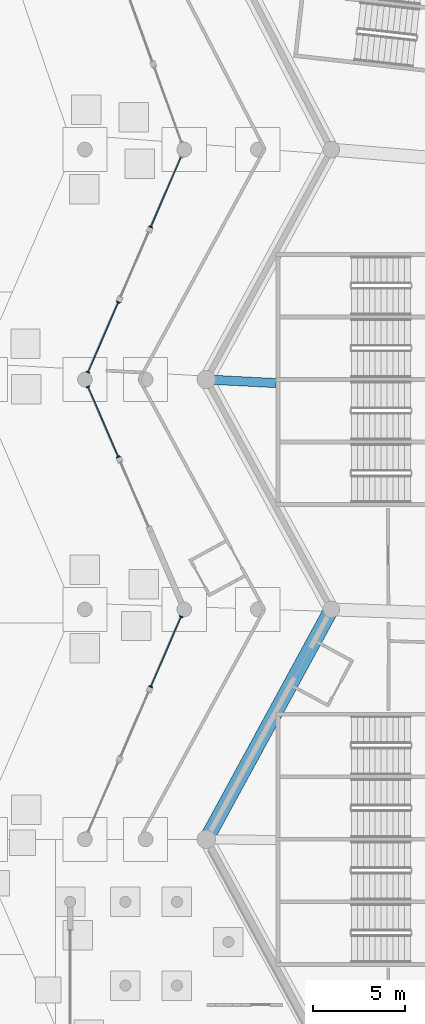
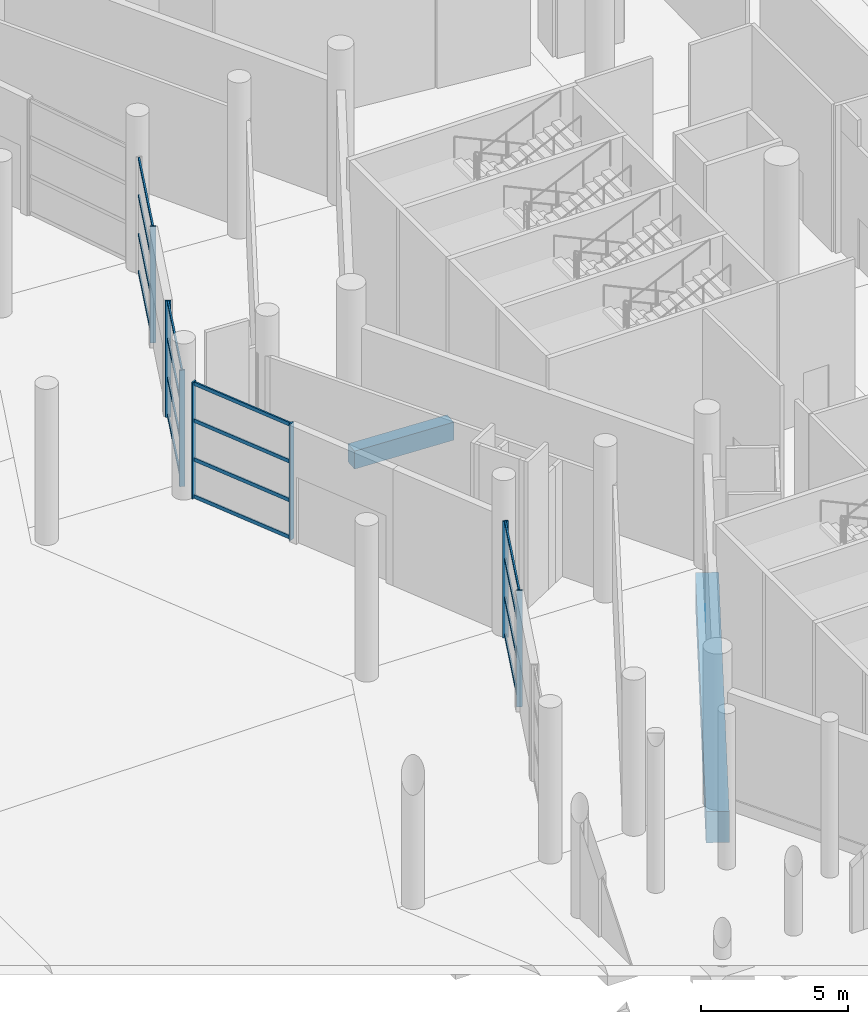
# One storey, part 42 of 255: 23 members, 2 beams, 4 elements without a shape of their own.
"""IFC4 building model written with IfcOpenShell, lengths in metres."""

from ifc_helpers import new_model, si_unit, direction, frame, origin, origin_2d, place, context, subcontext, project, spatial, rectangle, extrude, material, layer, layer_set, material_profile, profile_set, type_object, element, aggregate, save


model = new_model("IFC4")

# Units and contexts
model_context = context("Model", 3, precision=1e-05, world=origin(), true_north=direction((0.0, 1.0)))
body_context = subcontext(model_context, "Body", "Model", "MODEL_VIEW")
ifc_project = project(units=[si_unit("LENGTHUNIT", "METRE"), si_unit("AREAUNIT", "SQUARE_METRE"), si_unit("VOLUMEUNIT", "CUBIC_METRE"), si_unit("PLANEANGLEUNIT", "RADIAN"), si_unit("MASSUNIT", "GRAM", prefix="KILO")], contexts=[model_context])

# Site, building, storey
site_placement = place(None, origin())
site = spatial("IfcSite", under=ifc_project, at=site_placement, CompositionType="ELEMENT")
building_placement = place(site_placement, origin())
building = spatial("IfcBuilding", under=site, at=building_placement, Name="Meseta Stadium", CompositionType="ELEMENT")
storey_placement = place(building_placement, origin())
storey = spatial("IfcBuildingStorey", under=building, at=storey_placement, Name="L00", CompositionType="ELEMENT", Elevation=0.0)

# Beams
ifc_material_1 = material(Name="Concrete C40/50", Category="concrete")
ifc_material_profile_1 = material_profile(ifc_material_1, rectangle(XDim=0.5, YDim=0.75, at=origin_2d()), Name="RC 500x750")
ifc_profile_set_1 = profile_set([ifc_material_profile_1], Name="Concrete C40/50")
beam_type_1 = type_object("IfcBeamType", Name="RC beam 500x750", PredefinedType="BEAM", material=ifc_profile_set_1)
beam_1_placement = place(storey_placement, frame((-97.60009765625, 31.0546875, -0.77490234375), z_axis=(-0.998681597522, 0.05133290144, 0.0), x_axis=(-0.05133290144, -0.998681597522, 0.0)))
element("IfcBeam", 1, at=beam_1_placement, inside=storey, type_object=beam_type_1, Name="L00 radial beam frame 30 line P to R", PredefinedType="BEAM", context=body_context, shape_type="SweptSolid", body=[
    extrude(rectangle(XDim=0.5, YDim=0.75, at=origin_2d()), origin(), (0.0, 0.0, 1.0), 3.804931640625),
])
ifc_material_2 = material(Name="Concrete C40/50", Category="concrete")
ifc_material_profile_2 = material_profile(ifc_material_2, rectangle(XDim=0.800048828125, YDim=1.300048828125, at=origin_2d()), Name="RC 800x1300")
ifc_profile_set_2 = profile_set([ifc_material_profile_2], Name="Concrete C40/50")
beam_type_2 = type_object("IfcBeamType", Name="RC beam 800x1300", PredefinedType="BEAM", material=ifc_profile_set_2)
beam_2_placement = place(storey_placement, frame((-94.60009765625, 18.75, -1.050048828125), z_axis=(-0.47785649891, -0.878437912689, 0.0), x_axis=(0.878437912689, -0.47785649891, 0.0)))
element("IfcBeam", 2, at=beam_2_placement, inside=storey, type_object=beam_type_2, Name="L00 ring beam frame 31 line R", PredefinedType="BEAM", context=body_context, shape_type="SweptSolid", body=[
    extrude(rectangle(XDim=0.800048828125, YDim=1.300048828125, at=origin_2d()), origin(), (0.0, 0.0, 1.0), 14.229736328125),
])

# Curtain wall, member
ifc_material_3 = material(Name="Aluminium", Category="aluminium")
ifc_layer = layer(ifc_material_3, 0.199951171875)
ifc_layer_set = layer_set([ifc_layer], Name="Ring shopfront curtain wall")
curtain_wall_type = type_object("IfcCurtainWallType", Name="Ring shopfront curtain wall", PredefinedType="NOTDEFINED", material=ifc_layer_set)
curtain_wall_1_placement = place(storey_placement, origin())
curtain_wall_1 = element("IfcCurtainWall", 3, at=curtain_wall_1_placement, inside=storey, type_object=curtain_wall_type, Name="Shopfront glazing F29a", PredefinedType="NOTDEFINED")
ifc_material_4 = material(Name="Aluminium", Category="aluminium")
ifc_material_profile_3 = material_profile(ifc_material_4, rectangle(XDim=0.199951171875, YDim=0.06005859375, at=origin_2d()), Name="CW 200x60")
ifc_profile_set_3 = profile_set([ifc_material_profile_3], Name="Aluminium")
member_type_1 = type_object("IfcMemberType", Name="Ring CW mullion 60x200", PredefinedType="MULLION", material=ifc_profile_set_3)
member_1_placement = place(storey_placement, frame((-104.41552734375, 39.547119140625, 0.0), z_axis=(0.0, 0.0, 1.0), x_axis=(0.918001803218, -0.396576208678, 0.0)))
member_1 = element("IfcMember", 4, at=member_1_placement, type_object=member_type_1, Name="CWR1 mullion 2", PredefinedType="MULLION", context=body_context, shape_type="SweptSolid", body=[
    extrude(rectangle(XDim=0.199951171875, YDim=0.06005859375, at=origin_2d()), origin(), (0.0, 0.0, 1.0), 4.85009765625),
])

# Curtain wall, members
curtain_wall_2_placement = place(storey_placement, origin())
curtain_wall_2 = element("IfcCurtainWall", 5, at=curtain_wall_2_placement, inside=storey, type_object=curtain_wall_type, Name="Shopfront glazing F29b", PredefinedType="NOTDEFINED")
member_2_placement = place(storey_placement, frame((-106.184326171875, 35.452880859375, 0.0), z_axis=(0.0, 0.0, 1.0), x_axis=(0.918001803218, -0.396576208678, 0.0)))
member_2 = element("IfcMember", 6, at=member_2_placement, type_object=member_type_1, Name="CWR1 mullion 1", PredefinedType="MULLION", context=body_context, shape_type="SweptSolid", body=[
    extrude(rectangle(XDim=0.199951171875, YDim=0.06005859375, at=origin_2d()), origin(), (0.0, 0.0, 1.0), 4.85009765625),
])
member_3_placement = place(storey_placement, frame((-107.82958984375, 31.644775390625, 0.0), z_axis=(0.0, 0.0, 1.0), x_axis=(0.918001803218, -0.396576208678, 0.0)))
member_3 = element("IfcMember", 7, at=member_3_placement, type_object=member_type_1, Name="CWR1 mullion 2", PredefinedType="MULLION", context=body_context, shape_type="SweptSolid", body=[
    extrude(rectangle(XDim=0.199951171875, YDim=0.06005859375, at=origin_2d()), origin(), (0.0, 0.0, 1.0), 4.85009765625),
])

curtain_wall_3_placement = place(storey_placement, origin())
curtain_wall_3 = element("IfcCurtainWall", 8, at=curtain_wall_3_placement, inside=storey, type_object=curtain_wall_type, Name="Shopfront glazing F30a", PredefinedType="NOTDEFINED")
member_4_placement = place(storey_placement, frame((-107.82958984375, 30.855224609375, 0.0), z_axis=(0.0, 0.0, 1.0), x_axis=(0.918001803218, 0.396576208678, 0.0)))
member_4 = element("IfcMember", 9, at=member_4_placement, type_object=member_type_1, Name="CWR1 mullion 1", PredefinedType="MULLION", context=body_context, shape_type="SweptSolid", body=[
    extrude(rectangle(XDim=0.199951171875, YDim=0.06005859375, at=origin_2d()), origin(), (0.0, 0.0, 1.0), 4.85009765625),
])
member_5_placement = place(storey_placement, frame((-106.184326171875, 27.047119140625, 0.0), z_axis=(0.0, 0.0, 1.0), x_axis=(0.918001803218, 0.396576208678, 0.0)))
member_5 = element("IfcMember", 10, at=member_5_placement, type_object=member_type_1, Name="CWR1 mullion 2", PredefinedType="MULLION", context=body_context, shape_type="SweptSolid", body=[
    extrude(rectangle(XDim=0.199951171875, YDim=0.06005859375, at=origin_2d()), origin(), (0.0, 0.0, 1.0), 4.85009765625),
])

curtain_wall_4_placement = place(storey_placement, origin())
curtain_wall_4 = element("IfcCurtainWall", 11, at=curtain_wall_4_placement, inside=storey, type_object=curtain_wall_type, Name="Shopfront glazing F31a", PredefinedType="NOTDEFINED")
member_6_placement = place(storey_placement, frame((-102.7705078125, 18.355224609375, 0.0), z_axis=(0.0, 0.0, 1.0), x_axis=(0.918001803218, -0.396576208678, 0.0)))
member_6 = element("IfcMember", 12, at=member_6_placement, type_object=member_type_1, Name="CWR1 mullion 1", PredefinedType="MULLION", context=body_context, shape_type="SweptSolid", body=[
    extrude(rectangle(XDim=0.199951171875, YDim=0.06005859375, at=origin_2d()), origin(), (0.0, 0.0, 1.0), 4.85009765625),
])
member_7_placement = place(storey_placement, frame((-104.41552734375, 14.547119140625, 0.0), z_axis=(0.0, 0.0, 1.0), x_axis=(0.918001803218, -0.396576208678, 0.0)))
member_7 = element("IfcMember", 13, at=member_7_placement, type_object=member_type_1, Name="CWR1 mullion 2", PredefinedType="MULLION", context=body_context, shape_type="SweptSolid", body=[
    extrude(rectangle(XDim=0.199951171875, YDim=0.06005859375, at=origin_2d()), origin(), (0.0, 0.0, 1.0), 4.85009765625),
])

# Member
ifc_material_5 = material(Name="Aluminium", Category="aluminium")
ifc_material_profile_4 = material_profile(ifc_material_5, rectangle(XDim=0.06005859375, YDim=0.14990234375, at=origin_2d()), Name="CW 60x150")
ifc_profile_set_4 = profile_set([ifc_material_profile_4], Name="Aluminium")
member_type_2 = type_object("IfcMemberType", Name="Ring CW transom 60x150", PredefinedType="USERDEFINED", material=ifc_profile_set_4)
member_8_placement = place(storey_placement, frame((-102.782470703125, 43.32763671875, 0.074951171875), z_axis=(-0.396591585893, -0.917995160118, 0.0), x_axis=(0.917995160118, -0.396591585893, 0.0)))
member_8 = element("IfcMember", 14, at=member_8_placement, type_object=member_type_2, Name="CWR1 transom 1.1", ObjectType="TRANSOM", PredefinedType="USERDEFINED", context=body_context, shape_type="SweptSolid", body=[
    extrude(rectangle(XDim=0.06005859375, YDim=0.14990234375, at=origin_2d()), origin(), (0.0, 0.0, 1.0), 4.088134765625),
])

member_9_placement = place(storey_placement, frame((-102.782470703125, 43.32763671875, 1.61669921875), z_axis=(-0.396591585893, -0.917995160118, 0.0), x_axis=(0.917995160118, -0.396591585893, 0.0)))
member_9 = element("IfcMember", 15, at=member_9_placement, type_object=member_type_2, Name="CWR1 transom 1.2", ObjectType="TRANSOM", PredefinedType="USERDEFINED", context=body_context, shape_type="SweptSolid", body=[
    extrude(rectangle(XDim=0.06005859375, YDim=0.14990234375, at=origin_2d()), origin(), (0.0, 0.0, 1.0), 4.088134765625),
])

member_10_placement = place(storey_placement, frame((-102.782470703125, 43.32763671875, 3.2333984375), z_axis=(-0.396591585893, -0.917995160118, 0.0), x_axis=(0.917995160118, -0.396591585893, 0.0)))
member_10 = element("IfcMember", 16, at=member_10_placement, type_object=member_type_2, Name="CWR1 transom 1.3", ObjectType="TRANSOM", PredefinedType="USERDEFINED", context=body_context, shape_type="SweptSolid", body=[
    extrude(rectangle(XDim=0.06005859375, YDim=0.14990234375, at=origin_2d()), origin(), (0.0, 0.0, 1.0), 4.088134765625),
])

member_11_placement = place(storey_placement, frame((-102.782470703125, 43.32763671875, 4.77490234375), z_axis=(-0.396591585893, -0.917995160118, 0.0), x_axis=(0.917995160118, -0.396591585893, 0.0)))
member_11 = element("IfcMember", 17, at=member_11_placement, type_object=member_type_2, Name="CWR1 transom 1.4", ObjectType="TRANSOM", PredefinedType="USERDEFINED", context=body_context, shape_type="SweptSolid", body=[
    extrude(rectangle(XDim=0.06005859375, YDim=0.14990234375, at=origin_2d()), origin(), (0.0, 0.0, 1.0), 4.088134765625),
])

aggregate(curtain_wall_1, [member_1, member_8, member_9, member_10, member_11])

member_12_placement = place(storey_placement, frame((-106.1962890625, 35.42529296875, 0.074951171875), z_axis=(-0.396591585893, -0.917995160118, 0.0), x_axis=(0.917995160118, -0.396591585893, 0.0)))
member_12 = element("IfcMember", 18, at=member_12_placement, type_object=member_type_2, Name="CWR1 transom 1.1", ObjectType="TRANSOM", PredefinedType="USERDEFINED", context=body_context, shape_type="SweptSolid", body=[
    extrude(rectangle(XDim=0.06005859375, YDim=0.14990234375, at=origin_2d()), origin(), (0.0, 0.0, 1.0), 4.088134765625),
])

member_13_placement = place(storey_placement, frame((-106.1962890625, 35.42529296875, 1.61669921875), z_axis=(-0.396591585893, -0.917995160118, 0.0), x_axis=(0.917995160118, -0.396591585893, 0.0)))
member_13 = element("IfcMember", 19, at=member_13_placement, type_object=member_type_2, Name="CWR1 transom 1.2", ObjectType="TRANSOM", PredefinedType="USERDEFINED", context=body_context, shape_type="SweptSolid", body=[
    extrude(rectangle(XDim=0.06005859375, YDim=0.14990234375, at=origin_2d()), origin(), (0.0, 0.0, 1.0), 4.088134765625),
])

member_14_placement = place(storey_placement, frame((-106.1962890625, 35.42529296875, 3.2333984375), z_axis=(-0.396591585893, -0.917995160118, 0.0), x_axis=(0.917995160118, -0.396591585893, 0.0)))
member_14 = element("IfcMember", 20, at=member_14_placement, type_object=member_type_2, Name="CWR1 transom 1.3", ObjectType="TRANSOM", PredefinedType="USERDEFINED", context=body_context, shape_type="SweptSolid", body=[
    extrude(rectangle(XDim=0.06005859375, YDim=0.14990234375, at=origin_2d()), origin(), (0.0, 0.0, 1.0), 4.088134765625),
])

member_15_placement = place(storey_placement, frame((-106.1962890625, 35.42529296875, 4.77490234375), z_axis=(-0.396591585893, -0.917995160118, 0.0), x_axis=(0.917995160118, -0.396591585893, 0.0)))
member_15 = element("IfcMember", 21, at=member_15_placement, type_object=member_type_2, Name="CWR1 transom 1.4", ObjectType="TRANSOM", PredefinedType="USERDEFINED", context=body_context, shape_type="SweptSolid", body=[
    extrude(rectangle(XDim=0.06005859375, YDim=0.14990234375, at=origin_2d()), origin(), (0.0, 0.0, 1.0), 4.088134765625),
])

aggregate(curtain_wall_2, [member_2, member_3, member_12, member_13, member_14, member_15])

member_16_placement = place(storey_placement, frame((-107.817626953125, 30.82763671875, 0.074951171875), z_axis=(0.396591585893, -0.917995160118, 0.0), x_axis=(0.917995160118, 0.396591585893, 0.0)))
member_16 = element("IfcMember", 22, at=member_16_placement, type_object=member_type_2, Name="CWR1 transom 1.1", ObjectType="TRANSOM", PredefinedType="USERDEFINED", context=body_context, shape_type="SweptSolid", body=[
    extrude(rectangle(XDim=0.06005859375, YDim=0.14990234375, at=origin_2d()), origin(), (0.0, 0.0, 1.0), 4.088134765625),
])

member_17_placement = place(storey_placement, frame((-107.817626953125, 30.82763671875, 1.61669921875), z_axis=(0.396591585893, -0.917995160118, 0.0), x_axis=(0.917995160118, 0.396591585893, 0.0)))
member_17 = element("IfcMember", 23, at=member_17_placement, type_object=member_type_2, Name="CWR1 transom 1.2", ObjectType="TRANSOM", PredefinedType="USERDEFINED", context=body_context, shape_type="SweptSolid", body=[
    extrude(rectangle(XDim=0.06005859375, YDim=0.14990234375, at=origin_2d()), origin(), (0.0, 0.0, 1.0), 4.088134765625),
])

member_18_placement = place(storey_placement, frame((-107.817626953125, 30.82763671875, 3.2333984375), z_axis=(0.396591585893, -0.917995160118, 0.0), x_axis=(0.917995160118, 0.396591585893, 0.0)))
member_18 = element("IfcMember", 24, at=member_18_placement, type_object=member_type_2, Name="CWR1 transom 1.3", ObjectType="TRANSOM", PredefinedType="USERDEFINED", context=body_context, shape_type="SweptSolid", body=[
    extrude(rectangle(XDim=0.06005859375, YDim=0.14990234375, at=origin_2d()), origin(), (0.0, 0.0, 1.0), 4.088134765625),
])

member_19_placement = place(storey_placement, frame((-107.817626953125, 30.82763671875, 4.77490234375), z_axis=(0.396591585893, -0.917995160118, 0.0), x_axis=(0.917995160118, 0.396591585893, 0.0)))
member_19 = element("IfcMember", 25, at=member_19_placement, type_object=member_type_2, Name="CWR1 transom 1.4", ObjectType="TRANSOM", PredefinedType="USERDEFINED", context=body_context, shape_type="SweptSolid", body=[
    extrude(rectangle(XDim=0.06005859375, YDim=0.14990234375, at=origin_2d()), origin(), (0.0, 0.0, 1.0), 4.088134765625),
])

aggregate(curtain_wall_3, [member_4, member_5, member_16, member_17, member_18, member_19])

member_20_placement = place(storey_placement, frame((-102.782470703125, 18.32763671875, 0.074951171875), z_axis=(-0.396591585893, -0.917995160118, 0.0), x_axis=(0.917995160118, -0.396591585893, 0.0)))
member_20 = element("IfcMember", 26, at=member_20_placement, type_object=member_type_2, Name="CWR1 transom 1.1", ObjectType="TRANSOM", PredefinedType="USERDEFINED", context=body_context, shape_type="SweptSolid", body=[
    extrude(rectangle(XDim=0.06005859375, YDim=0.14990234375, at=origin_2d()), origin(), (0.0, 0.0, 1.0), 4.088134765625),
])

member_21_placement = place(storey_placement, frame((-102.782470703125, 18.32763671875, 1.61669921875), z_axis=(-0.396591585893, -0.917995160118, 0.0), x_axis=(0.917995160118, -0.396591585893, 0.0)))
member_21 = element("IfcMember", 27, at=member_21_placement, type_object=member_type_2, Name="CWR1 transom 1.2", ObjectType="TRANSOM", PredefinedType="USERDEFINED", context=body_context, shape_type="SweptSolid", body=[
    extrude(rectangle(XDim=0.06005859375, YDim=0.14990234375, at=origin_2d()), origin(), (0.0, 0.0, 1.0), 4.088134765625),
])

member_22_placement = place(storey_placement, frame((-102.782470703125, 18.32763671875, 3.2333984375), z_axis=(-0.396591585893, -0.917995160118, 0.0), x_axis=(0.917995160118, -0.396591585893, 0.0)))
member_22 = element("IfcMember", 28, at=member_22_placement, type_object=member_type_2, Name="CWR1 transom 1.3", ObjectType="TRANSOM", PredefinedType="USERDEFINED", context=body_context, shape_type="SweptSolid", body=[
    extrude(rectangle(XDim=0.06005859375, YDim=0.14990234375, at=origin_2d()), origin(), (0.0, 0.0, 1.0), 4.088134765625),
])

member_23_placement = place(storey_placement, frame((-102.782470703125, 18.32763671875, 4.77490234375), z_axis=(-0.396591585893, -0.917995160118, 0.0), x_axis=(0.917995160118, -0.396591585893, 0.0)))
member_23 = element("IfcMember", 29, at=member_23_placement, type_object=member_type_2, Name="CWR1 transom 1.4", ObjectType="TRANSOM", PredefinedType="USERDEFINED", context=body_context, shape_type="SweptSolid", body=[
    extrude(rectangle(XDim=0.06005859375, YDim=0.14990234375, at=origin_2d()), origin(), (0.0, 0.0, 1.0), 4.088134765625),
])

aggregate(curtain_wall_4, [member_6, member_7, member_20, member_21, member_22, member_23])

save(model, "model.ifc")
